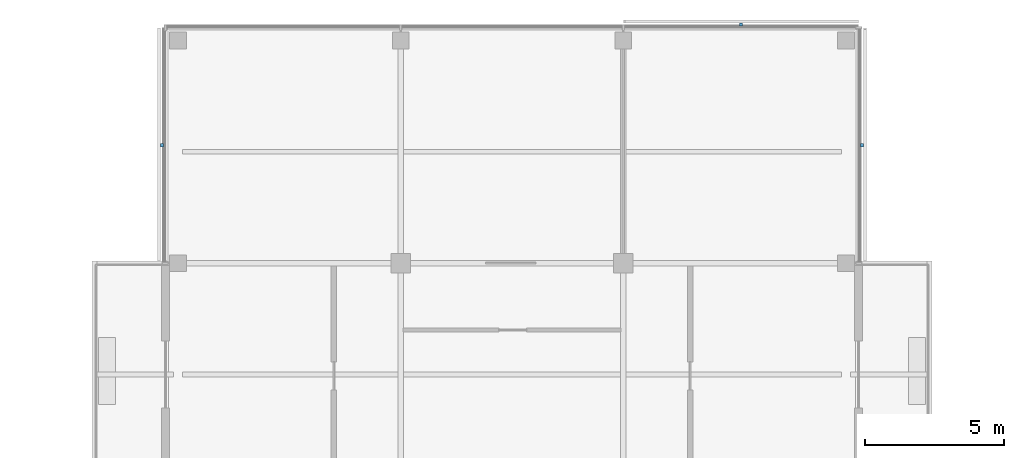
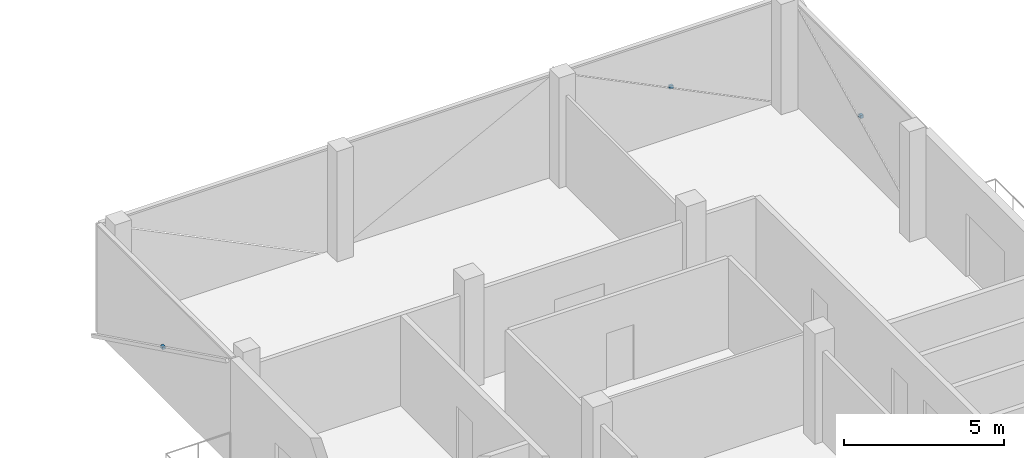
# One storey, part 11 of 12: 3 discrete accessories.
"""IFC4 building model written with IfcOpenShell, lengths in metres."""

from ifc_helpers import new_model, si_unit, direction, frame, origin, origin_2d, place, context, subcontext, project, spatial, rectangle, extrude, material, type_object, element, save


model = new_model("IFC4")

# Units and contexts
model_context = context("Model", 3, precision=1e-05, world=origin(), true_north=direction((0.0, 1.0)))
body_context = subcontext(model_context, "Body", "Model", "MODEL_VIEW")
ifc_project = project(units=[si_unit("LENGTHUNIT", "METRE"), si_unit("AREAUNIT", "SQUARE_METRE"), si_unit("VOLUMEUNIT", "CUBIC_METRE"), si_unit("PLANEANGLEUNIT", "RADIAN"), si_unit("MASSUNIT", "GRAM", prefix="KILO")], contexts=[model_context])

# Site, building, storey
site_placement = place(None, origin())
site = spatial("IfcSite", under=ifc_project, at=site_placement, CompositionType="ELEMENT")
building_placement = place(site_placement, origin())
building = spatial("IfcBuilding", under=site, at=building_placement, Name="Crosswind Convention Tower", CompositionType="ELEMENT")
storey_placement = place(building_placement, frame((0.0, 0.0, 245.10009765625)))
storey = spatial("IfcBuildingStorey", under=building, at=storey_placement, Name="L52", CompositionType="ELEMENT", Elevation=245.10009765625)

# Discrete accessories
ifc_material = material(Name="Stainless steel", Category="steel")
discrete_accessory_type = type_object("IfcDiscreteAccessoryType", Name="BAGUETTE BRACKET BK3", PredefinedType="BRACKET", material=ifc_material)
for number, where, z_axis, x_axis, name in (
    (1, (137.575927734375, 124.22998046875, 1.704833984375), (0.0, 0.0, 1.0), (0.0, 1.0, 0.0), "BK3 baguette bracket"),
    (2, (133.22998046875, 128.575927734375, 1.704833984375), (0.0, 0.0, 1.0), (-1.0, 0.0, 0.0), "BK3 baguette bracket"),
    (3, (112.424072265625, 124.22998046875, 1.704833984375), (0.0, 0.0, 1.0), (0.0, -1.0, 0.0), "BK3 baguette bracket"),
):
    element("IfcDiscreteAccessory", number, at=place(storey_placement, frame(where, z_axis=z_axis, x_axis=x_axis)), inside=storey, type_object=discrete_accessory_type, Name=name, PredefinedType="BRACKET", context=body_context, shape_type="SweptSolid", body=[
        extrude(rectangle(XDim=0.1201171875, YDim=0.10009765625, at=origin_2d()), origin(), (0.0, 0.0, 1.0), 0.1201171875),
    ])

save(model, "model.ifc")
